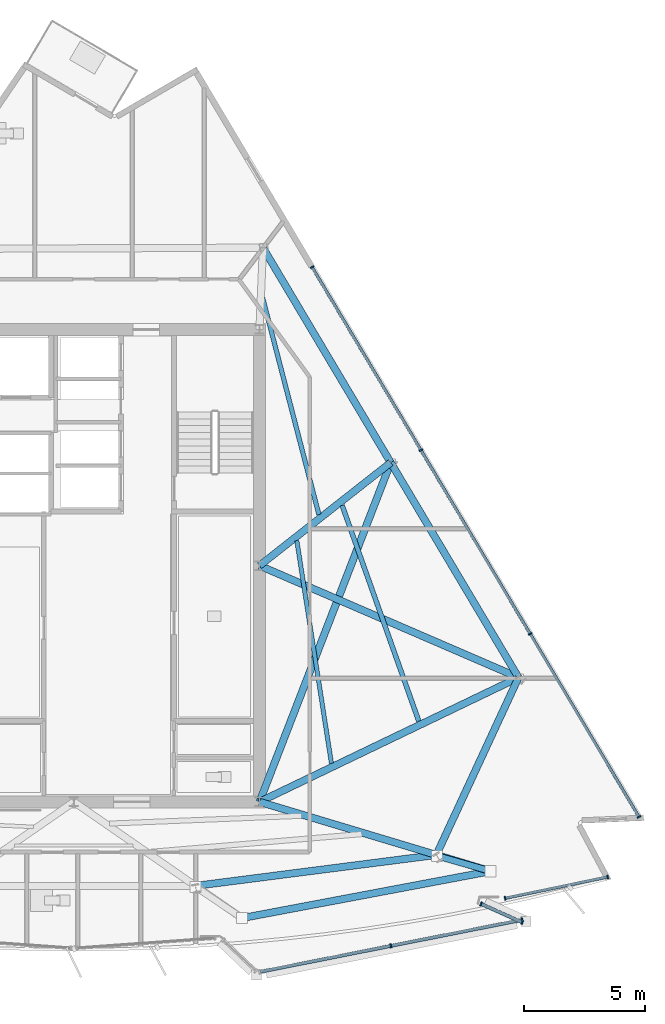
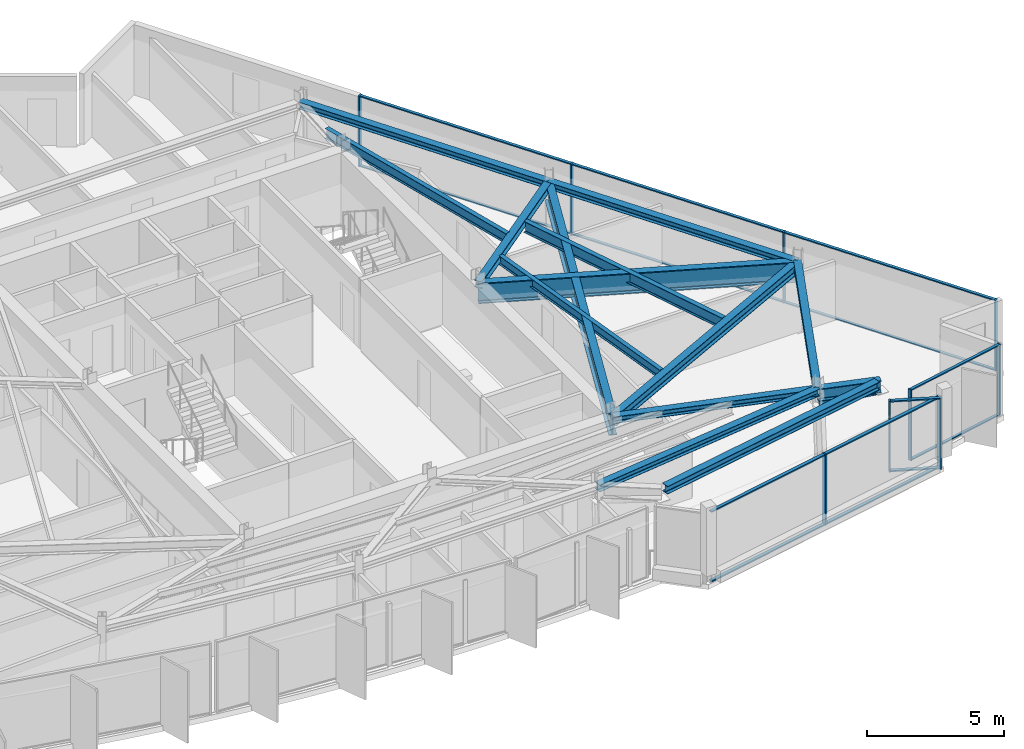
# One storey, part 5 of 13: 25 members, 14 beams, 4 elements without a shape of their own.
"""IFC4 building model written with IfcOpenShell, lengths in metres."""

from ifc_helpers import new_model, si_unit, direction, frame, origin, origin_2d, place, context, subcontext, project, spatial, rectangle, hollow_circle, i_section, extrude, material, material_profile, profile_set, type_object, element, aggregate, save


model = new_model("IFC4")

# Units and contexts
model_context = context("Model", 3, precision=1e-05, world=origin(), true_north=direction((0.0, 1.0)))
body_context = subcontext(model_context, "Body", "Model", "MODEL_VIEW")
ifc_project = project(units=[si_unit("LENGTHUNIT", "METRE"), si_unit("AREAUNIT", "SQUARE_METRE"), si_unit("VOLUMEUNIT", "CUBIC_METRE"), si_unit("PLANEANGLEUNIT", "RADIAN"), si_unit("MASSUNIT", "GRAM", prefix="KILO")], contexts=[model_context])

# Site, building, storey
site_placement = place(None, origin())
site = spatial("IfcSite", under=ifc_project, at=site_placement, CompositionType="ELEMENT")
building_placement = place(site_placement, origin())
building = spatial("IfcBuilding", under=site, at=building_placement, Name="Savorim Split Tower", CompositionType="ELEMENT")
storey_placement = place(building_placement, frame((0.0, 0.0, 290.39990234375)))
storey = spatial("IfcBuildingStorey", under=building, at=storey_placement, Name="L77", CompositionType="ELEMENT", Elevation=290.39990234375)

# Beams
ifc_material_1 = material(Name="Steel S355", Category="steel")
ifc_material_profile_1 = material_profile(ifc_material_1, i_section(OverallWidth=0.179931640625, OverallDepth=0.39990234375, WebThickness=0.008544921875, FlangeThickness=0.013427734375, FilletRadius=0.02099609375, at=origin_2d()), Name="IPE 400")
ifc_profile_set_1 = profile_set([ifc_material_profile_1], Name="Steel S355")
beam_type_1 = type_object("IfcBeamType", Name="BM-JST-IPE400", PredefinedType="JOIST", material=ifc_profile_set_1)
beam_1_placement = place(storey_placement, frame((10.68408203125, -7.797119140625, 2.9501953125), z_axis=(-0.153529055259, 0.988144133814, 0.0), x_axis=(-0.988144133814, -0.153529055259, 0.0)))
element("IfcBeam", 1, at=beam_1_placement, inside=storey, type_object=beam_type_1, Name="L77 Secondary Floor Joist JS-08", PredefinedType="JOIST", context=body_context, shape_type="SweptSolid", body=[
    extrude(i_section(OverallWidth=0.179931640625, OverallDepth=0.39990234375, WebThickness=0.008544921875, FlangeThickness=0.013427734375, FilletRadius=0.02099609375, at=origin_2d()), origin(), (0.0, 0.0, 1.0), 9.34716796875),
])
ifc_material_profile_2 = material_profile(ifc_material_1, i_section(OverallWidth=0.18994140625, OverallDepth=0.449951171875, WebThickness=0.009521484375, FlangeThickness=0.0146484375, FilletRadius=0.02099609375, at=origin_2d()), Name="IPE 450")
ifc_profile_set_2 = profile_set([ifc_material_profile_2], Name="Steel S355")
beam_type_2 = type_object("IfcBeamType", Name="BM-JST-IPE450", PredefinedType="JOIST", material=ifc_profile_set_2)
beam_2_placement = place(storey_placement, frame((10.164306640625, 2.521728515625, 2.925048828125), z_axis=(-0.251309740462, 0.967906717793, 0.0), x_axis=(-0.967906717793, -0.251309740462, 0.0)))
element("IfcBeam", 2, at=beam_2_placement, inside=storey, type_object=beam_type_2, Name="L77 Secondary Floor Joist JS-07", PredefinedType="JOIST", context=body_context, shape_type="SweptSolid", body=[
    extrude(i_section(OverallWidth=0.18994140625, OverallDepth=0.449951171875, WebThickness=0.009521484375, FlangeThickness=0.0146484375, FilletRadius=0.02099609375, at=origin_2d()), origin(), (0.0, 0.0, 1.0), 9.384521484375),
])
ifc_material_profile_3 = material_profile(ifc_material_1, i_section(OverallWidth=0.199951171875, OverallDepth=0.5, WebThickness=0.01025390625, FlangeThickness=0.01611328125, FilletRadius=0.02099609375, at=origin_2d()), Name="IPE 500")
ifc_profile_set_3 = profile_set([ifc_material_profile_3], Name="Steel S355")
beam_type_3 = type_object("IfcBeamType", Name="BM-JST-IPE500", PredefinedType="JOIST", material=ifc_profile_set_3)
beam_3_placement = place(storey_placement, frame((14.30859375, -6.0498046875, 2.900146484375), z_axis=(-0.334751538118, 0.942306429845, 0.0), x_axis=(-0.942306429845, -0.334751538118, 0.0)))
element("IfcBeam", 3, at=beam_3_placement, inside=storey, type_object=beam_type_3, Name="L77 Secondary Floor Joist JS-06", PredefinedType="JOIST", context=body_context, shape_type="SweptSolid", body=[
    extrude(i_section(OverallWidth=0.199951171875, OverallDepth=0.5, WebThickness=0.01025390625, FlangeThickness=0.01611328125, FilletRadius=0.02099609375, at=origin_2d()), origin(), (0.0, 0.0, 1.0), 9.497802734375),
])
ifc_material_profile_4 = material_profile(ifc_material_1, i_section(OverallWidth=0.300048828125, OverallDepth=0.300048828125, WebThickness=0.010986328125, FlangeThickness=0.01904296875, FilletRadius=0.027099609375, at=origin_2d()), Name="HEB 300")
ifc_profile_set_4 = profile_set([ifc_material_profile_4], Name="Steel S355")
beam_type_4 = type_object("IfcBeamType", Name="BM-PRI-HEB300", PredefinedType="BEAM", material=ifc_profile_set_4)
beam_4_placement = place(storey_placement, frame((15.037109375, -11.6015625, 3.0), z_axis=(-0.957807862617, 0.287409287096, 0.0), x_axis=(-0.287409287096, -0.957807862617, 0.0)))
element("IfcBeam", 4, at=beam_4_placement, inside=storey, type_object=beam_type_4, Name="L77 Primary Floor Girder RG-04", PredefinedType="BEAM", context=body_context, shape_type="SweptSolid", body=[
    extrude(i_section(OverallWidth=0.300048828125, OverallDepth=0.300048828125, WebThickness=0.010986328125, FlangeThickness=0.01904296875, FilletRadius=0.027099609375, at=origin_2d()), origin(), (0.0, 0.0, 1.0), 7.660400390625),
])
beam_5_placement = place(storey_placement, frame((13.144287109375, 4.675537109375, 3.0), z_axis=(-0.786462724498, -0.617637744131, 0.0), x_axis=(0.617637744131, -0.786462724498, 0.0)))
element("IfcBeam", 5, at=beam_5_placement, inside=storey, type_object=beam_type_4, Name="L77 Primary Floor Girder RG-06", PredefinedType="BEAM", context=body_context, shape_type="SweptSolid", body=[
    extrude(i_section(OverallWidth=0.300048828125, OverallDepth=0.300048828125, WebThickness=0.010986328125, FlangeThickness=0.01904296875, FilletRadius=0.027099609375, at=origin_2d()), origin(), (0.0, 0.0, 1.0), 6.922607421875),
])
ifc_material_profile_5 = material_profile(ifc_material_1, i_section(OverallWidth=0.300048828125, OverallDepth=0.449951171875, WebThickness=0.013916015625, FlangeThickness=0.02587890625, FilletRadius=0.027099609375, at=origin_2d()), Name="HEB 450")
ifc_profile_set_5 = profile_set([ifc_material_profile_5], Name="Steel S355")
beam_type_5 = type_object("IfcBeamType", Name="BM-PRI-HEB450", PredefinedType="BEAM", material=ifc_profile_set_5)
beam_6_placement = place(storey_placement, frame((18.44580078125, -4.239990234375, 2.925048828125), z_axis=(-0.901460726945, -0.432860898875, 0.0), x_axis=(0.432860898875, -0.901460726945, 0.0)))
element("IfcBeam", 6, at=beam_6_placement, inside=storey, type_object=beam_type_5, Name="L77 Primary Floor Girder RG-05", PredefinedType="BEAM", context=body_context, shape_type="SweptSolid", body=[
    extrude(i_section(OverallWidth=0.300048828125, OverallDepth=0.449951171875, WebThickness=0.013916015625, FlangeThickness=0.02587890625, FilletRadius=0.027099609375, at=origin_2d()), origin(), (0.0, 0.0, 1.0), 11.92041015625),
])
ifc_material_profile_6 = material_profile(ifc_material_1, i_section(OverallWidth=0.300048828125, OverallDepth=0.550048828125, WebThickness=0.014892578125, FlangeThickness=0.029052734375, FilletRadius=0.027099609375, at=origin_2d()), Name="HEB 550")
ifc_profile_set_6 = profile_set([ifc_material_profile_6], Name="Steel S355")
beam_type_6 = type_object("IfcBeamType", Name="BM-PRI-HEB550", PredefinedType="BEAM", material=ifc_profile_set_6)
beam_7_placement = place(storey_placement, frame((15.037109375, -11.6015625, 2.875), z_axis=(0.957826285221, -0.287347885566, 0.0), x_axis=(0.287347885566, 0.957826285221, 0.0)))
element("IfcBeam", 7, at=beam_7_placement, inside=storey, type_object=beam_type_6, Name="L77 Cantilevered Lounge Rib 2", PredefinedType="BEAM", context=body_context, shape_type="SweptSolid", body=[
    extrude(i_section(OverallWidth=0.300048828125, OverallDepth=0.550048828125, WebThickness=0.014892578125, FlangeThickness=0.029052734375, FilletRadius=0.027099609375, at=origin_2d()), origin(), (0.0, 0.0, 1.0), 2.35009765625),
])
ifc_material_profile_7 = material_profile(ifc_material_1, i_section(OverallWidth=0.300048828125, OverallDepth=0.31005859375, WebThickness=0.009033203125, FlangeThickness=0.015380859375, FilletRadius=0.027099609375, at=origin_2d()), Name="HEA 320")
ifc_profile_set_7 = profile_set([ifc_material_profile_7], Name="Steel S355")
beam_type_7 = type_object("IfcBeamType", Name="BM-SPN-HEA320", PredefinedType="SPANDREL", material=ifc_profile_set_7)
beam_8_placement = place(storey_placement, frame((5.039794921875, -12.885009765625, 2.9951171875), z_axis=(0.991859872424, 0.127334180306, 0.0), x_axis=(-0.127334180306, 0.991859872424, 0.0)))
element("IfcBeam", 8, at=beam_8_placement, inside=storey, type_object=beam_type_7, Name="L77 Perimeter Spandrel Beam 3", PredefinedType="SPANDREL", context=body_context, shape_type="SweptSolid", body=[
    extrude(i_section(OverallWidth=0.300048828125, OverallDepth=0.31005859375, WebThickness=0.009033203125, FlangeThickness=0.015380859375, FilletRadius=0.027099609375, at=origin_2d()), origin(), (0.0, 0.0, 1.0), 10.079345703125),
])
beam_9_placement = place(storey_placement, frame((15.037109375, -11.6015625, 2.9951171875), z_axis=(0.420180016877, 0.9074407713, 0.0), x_axis=(-0.9074407713, 0.420180016877, 0.0)))
element("IfcBeam", 9, at=beam_9_placement, inside=storey, type_object=beam_type_7, Name="L77 Perimeter Spandrel Beam 4", PredefinedType="SPANDREL", context=body_context, shape_type="SweptSolid", body=[
    extrude(i_section(OverallWidth=0.300048828125, OverallDepth=0.31005859375, WebThickness=0.009033203125, FlangeThickness=0.015380859375, FilletRadius=0.027099609375, at=origin_2d()), origin(), (0.0, 0.0, 1.0), 8.112548828125),
])
beam_10_placement = place(storey_placement, frame((18.44580078125, -4.239990234375, 2.9951171875), z_axis=(-0.511103121152, 0.859519400333, 0.0), x_axis=(-0.859519400333, -0.511103121152, 0.0)))
element("IfcBeam", 10, at=beam_10_placement, inside=storey, type_object=beam_type_7, Name="L77 Perimeter Spandrel Beam 5", PredefinedType="SPANDREL", context=body_context, shape_type="SweptSolid", body=[
    extrude(i_section(OverallWidth=0.300048828125, OverallDepth=0.31005859375, WebThickness=0.009033203125, FlangeThickness=0.015380859375, FilletRadius=0.027099609375, at=origin_2d()), origin(), (0.0, 0.0, 1.0), 10.372802734375),
])
beam_11_placement = place(storey_placement, frame((13.144287109375, 4.675537109375, 2.9951171875), z_axis=(-0.51108573242, 0.8595297401, 0.0), x_axis=(-0.8595297401, -0.51108573242, 0.0)))
element("IfcBeam", 11, at=beam_11_placement, inside=storey, type_object=beam_type_7, Name="L77 Perimeter Spandrel Beam 6", PredefinedType="SPANDREL", context=body_context, shape_type="SweptSolid", body=[
    extrude(i_section(OverallWidth=0.300048828125, OverallDepth=0.31005859375, WebThickness=0.009033203125, FlangeThickness=0.015380859375, FilletRadius=0.027099609375, at=origin_2d()), origin(), (0.0, 0.0, 1.0), 10.37255859375),
])
ifc_material_profile_8 = material_profile(ifc_material_1, i_section(OverallWidth=0.300048828125, OverallDepth=0.35009765625, WebThickness=0.010009765625, FlangeThickness=0.017578125, FilletRadius=0.027099609375, at=origin_2d()), Name="HEA 360")
ifc_profile_set_8 = profile_set([ifc_material_profile_8], Name="Steel S355")
beam_type_8 = type_object("IfcBeamType", Name="BM-SPN-HEA360", PredefinedType="SPANDREL", material=ifc_profile_set_8)
beam_12_placement = place(storey_placement, frame((7.1298828125, -14.192138671875, 2.97509765625), z_axis=(0.982683747287, 0.185290725126, 0.0), x_axis=(-0.185290725126, 0.982683747287, 0.0)))
element("IfcBeam", 12, at=beam_12_placement, inside=storey, type_object=beam_type_8, Name="L77 Cantilevered Lounge Front Edge Beam", PredefinedType="SPANDREL", context=body_context, shape_type="SweptSolid", body=[
    extrude(i_section(OverallWidth=0.300048828125, OverallDepth=0.35009765625, WebThickness=0.010009765625, FlangeThickness=0.017578125, FilletRadius=0.027099609375, at=origin_2d()), origin(), (0.0, 0.0, 1.0), 10.17724609375),
])
ifc_material_2 = material(Name="Steel S460", Category="steel")
ifc_material_profile_9 = material_profile(ifc_material_2, i_section(OverallWidth=0.302001953125, OverallDepth=0.909912109375, WebThickness=0.02099609375, FlangeThickness=0.0400390625, FilletRadius=0.030029296875, at=origin_2d()), Name="HE 900 M")
ifc_profile_set_9 = profile_set([ifc_material_profile_9], Name="Steel S460")
beam_type_9 = type_object("IfcBeamType", Name="BM-TRF-HEM900", PredefinedType="BEAM", material=ifc_profile_set_9)
beam_13_placement = place(storey_placement, frame((7.699951171875, -9.39990234375, 2.695068359375), z_axis=(0.360750832527, 0.932662230838, 0.0), x_axis=(-0.932662230838, 0.360750832527, 0.0)))
element("IfcBeam", 13, at=beam_13_placement, inside=storey, type_object=beam_type_9, Name="L77 East Crown Transfer Girder 1", PredefinedType="BEAM", context=body_context, shape_type="SweptSolid", body=[
    extrude(i_section(OverallWidth=0.302001953125, OverallDepth=0.909912109375, WebThickness=0.02099609375, FlangeThickness=0.0400390625, FilletRadius=0.030029296875, at=origin_2d()), origin(), (0.0, 0.0, 1.0), 15.091796875),
])
beam_14_placement = place(storey_placement, frame((7.699951171875, 0.39990234375, 2.695068359375), z_axis=(0.918073567742, -0.396410045551, 0.0), x_axis=(0.396410045551, 0.918073567742, 0.0)))
element("IfcBeam", 14, at=beam_14_placement, inside=storey, type_object=beam_type_9, Name="L77 East Crown Transfer Girder 2", PredefinedType="BEAM", context=body_context, shape_type="SweptSolid", body=[
    extrude(i_section(OverallWidth=0.302001953125, OverallDepth=0.909912109375, WebThickness=0.02099609375, FlangeThickness=0.0400390625, FilletRadius=0.030029296875, at=origin_2d()), origin(), (0.0, 0.0, 1.0), 11.704833984375),
])

# Curtain wall, members
ifc_material_3 = material(Name="Dark Ceramic-Fritted Insulated Glass", Category="glass")
curtain_wall_type_1 = type_object("IfcCurtainWallType", Name="CW-TWR-FRIT-B", PredefinedType="NOTDEFINED", material=ifc_material_3)
curtain_wall_1_placement = place(storey_placement, origin())
curtain_wall_1 = element("IfcCurtainWall", 15, at=curtain_wall_1_placement, inside=storey, type_object=curtain_wall_type_1, Name="L77 Curtain Wall CW-L77-SF4A", PredefinedType="NOTDEFINED")
ifc_material_4 = material(Name="Charcoal Anodised Aluminium", Category="aluminium")
ifc_material_profile_10 = material_profile(ifc_material_4, rectangle(XDim=0.159912109375, YDim=0.06005859375, at=origin_2d()), Name="ALU-M 160x60")
ifc_profile_set_10 = profile_set([ifc_material_profile_10], Name="Charcoal Anodised Aluminium")
member_type_1 = type_object("IfcMemberType", Name="CWM-160x60", PredefinedType="MULLION", material=ifc_profile_set_10)
member_1_placement = place(storey_placement, frame((17.891845703125, -13.397216796875, 0.0), z_axis=(0.0, 0.0, 1.0), x_axis=(-0.203220155852, 0.979133069739, 0.0)))
member_1 = element("IfcMember", 16, at=member_1_placement, type_object=member_type_1, Name="CW-03 mullion 1", PredefinedType="MULLION", context=body_context, shape_type="SweptSolid", body=[
    extrude(rectangle(XDim=0.159912109375, YDim=0.06005859375, at=origin_2d()), origin(), (0.0, 0.0, 1.0), 3.150146484375),
])
member_2_placement = place(storey_placement, frame((22.142333984375, -12.514892578125, 0.0), z_axis=(0.0, 0.0, 1.0), x_axis=(-0.203220155852, 0.979133069739, 0.0)))
member_2 = element("IfcMember", 17, at=member_2_placement, type_object=member_type_1, Name="CW-03 mullion 2", PredefinedType="MULLION", context=body_context, shape_type="SweptSolid", body=[
    extrude(rectangle(XDim=0.159912109375, YDim=0.06005859375, at=origin_2d()), origin(), (0.0, 0.0, 1.0), 3.150146484375),
])

curtain_wall_2_placement = place(storey_placement, origin())
curtain_wall_2 = element("IfcCurtainWall", 18, at=curtain_wall_2_placement, inside=storey, type_object=curtain_wall_type_1, Name="L77 Curtain Wall CW-L77-EAST", PredefinedType="NOTDEFINED")
member_3_placement = place(storey_placement, frame((23.44482421875, -10.0234375, 0.0), z_axis=(0.0, 0.0, 1.0), x_axis=(-0.859526200766, -0.511091684727, 0.0)))
member_3 = element("IfcMember", 19, at=member_3_placement, type_object=member_type_1, Name="CW-03 mullion 1", PredefinedType="MULLION", context=body_context, shape_type="SweptSolid", body=[
    extrude(rectangle(XDim=0.159912109375, YDim=0.06005859375, at=origin_2d()), origin(), (0.0, 0.0, 1.0), 3.150146484375),
])
member_4_placement = place(storey_placement, frame((18.92919921875, -2.42919921875, 0.0), z_axis=(0.0, 0.0, 1.0), x_axis=(-0.859526200766, -0.511091684727, 0.0)))
member_4 = element("IfcMember", 20, at=member_4_placement, type_object=member_type_1, Name="CW-03 mullion 2", PredefinedType="MULLION", context=body_context, shape_type="SweptSolid", body=[
    extrude(rectangle(XDim=0.159912109375, YDim=0.06005859375, at=origin_2d()), origin(), (0.0, 0.0, 1.0), 3.150146484375),
])
member_5_placement = place(storey_placement, frame((14.398193359375, 5.190673828125, 0.0), z_axis=(0.0, 0.0, 1.0), x_axis=(-0.859526200766, -0.511091684727, 0.0)))
member_5 = element("IfcMember", 21, at=member_5_placement, type_object=member_type_1, Name="CW-03 mullion 3", PredefinedType="MULLION", context=body_context, shape_type="SweptSolid", body=[
    extrude(rectangle(XDim=0.159912109375, YDim=0.06005859375, at=origin_2d()), origin(), (0.0, 0.0, 1.0), 3.150146484375),
])
member_6_placement = place(storey_placement, frame((9.882568359375, 12.784912109375, 0.0), z_axis=(0.0, 0.0, 1.0), x_axis=(-0.859526200766, -0.511091684727, 0.0)))
member_6 = element("IfcMember", 22, at=member_6_placement, type_object=member_type_1, Name="CW-03 mullion 4", PredefinedType="MULLION", context=body_context, shape_type="SweptSolid", body=[
    extrude(rectangle(XDim=0.159912109375, YDim=0.06005859375, at=origin_2d()), origin(), (0.0, 0.0, 1.0), 3.150146484375),
])

curtain_wall_type_2 = type_object("IfcCurtainWallType", Name="CW-BAY-LOUNGE", PredefinedType="NOTDEFINED", material=ifc_material_3)
curtain_wall_3_placement = place(storey_placement, origin())
curtain_wall_3 = element("IfcCurtainWall", 23, at=curtain_wall_3_placement, inside=storey, type_object=curtain_wall_type_2, Name="L77 Curtain Wall CW-L77-BAYF", PredefinedType="NOTDEFINED")
ifc_material_profile_11 = material_profile(ifc_material_4, rectangle(XDim=0.179931640625, YDim=0.06494140625, at=origin_2d()), Name="ALU-M 180x65")
ifc_profile_set_11 = profile_set([ifc_material_profile_11], Name="Charcoal Anodised Aluminium")
member_type_2 = type_object("IfcMemberType", Name="CWM-180x65", PredefinedType="MULLION", material=ifc_profile_set_11)
member_7_placement = place(storey_placement, frame((13.15185546875, -15.37255859375, 0.0), z_axis=(0.0, 0.0, 1.0), x_axis=(-0.194484421737, 0.980905606927, 0.0)))
member_7 = element("IfcMember", 24, at=member_7_placement, type_object=member_type_2, Name="CW-04 mullion 2", PredefinedType="MULLION", context=body_context, shape_type="SweptSolid", body=[
    extrude(rectangle(XDim=0.179931640625, YDim=0.06494140625, at=origin_2d()), origin(), (0.0, 0.0, 1.0), 3.150146484375),
])
member_8_placement = place(storey_placement, frame((18.5947265625, -14.29345703125, 0.0), z_axis=(0.0, 0.0, 1.0), x_axis=(-0.194484421737, 0.980905606927, 0.0)))
member_8 = element("IfcMember", 25, at=member_8_placement, type_object=member_type_2, Name="CW-04 mullion 3", PredefinedType="MULLION", context=body_context, shape_type="SweptSolid", body=[
    extrude(rectangle(XDim=0.179931640625, YDim=0.06494140625, at=origin_2d()), origin(), (0.0, 0.0, 1.0), 3.150146484375),
])

curtain_wall_4_placement = place(storey_placement, origin())
curtain_wall_4 = element("IfcCurtainWall", 26, at=curtain_wall_4_placement, inside=storey, type_object=curtain_wall_type_2, Name="L77 Curtain Wall CW-L77-BAYE", PredefinedType="NOTDEFINED")
member_9_placement = place(storey_placement, frame((18.60205078125, -14.39892578125, 0.0), z_axis=(0.0, 0.0, 1.0), x_axis=(-0.409230543501, -0.912431017812, 0.0)))
member_9 = element("IfcMember", 27, at=member_9_placement, type_object=member_type_2, Name="CW-04 mullion 1", PredefinedType="MULLION", context=body_context, shape_type="SweptSolid", body=[
    extrude(rectangle(XDim=0.179931640625, YDim=0.06494140625, at=origin_2d()), origin(), (0.0, 0.0, 1.0), 3.150146484375),
])
member_10_placement = place(storey_placement, frame((16.89111328125, -13.631591796875, 0.0), z_axis=(0.0, 0.0, 1.0), x_axis=(-0.409230543501, -0.912431017812, 0.0)))
member_10 = element("IfcMember", 28, at=member_10_placement, type_object=member_type_2, Name="CW-04 mullion 2", PredefinedType="MULLION", context=body_context, shape_type="SweptSolid", body=[
    extrude(rectangle(XDim=0.179931640625, YDim=0.06494140625, at=origin_2d()), origin(), (0.0, 0.0, 1.0), 3.150146484375),
])

# Member
ifc_material_profile_12 = material_profile(ifc_material_4, rectangle(XDim=0.1201171875, YDim=0.050048828125, at=origin_2d()), Name="ALU-T 120x50")
ifc_profile_set_12 = profile_set([ifc_material_profile_12], Name="Charcoal Anodised Aluminium")
member_type_3 = type_object("IfcMemberType", Name="CWT-120x50", PredefinedType="USERDEFINED", material=ifc_profile_set_12)
member_11_placement = place(storey_placement, frame((17.921142578125, -13.39111328125, 0.025146484375), z_axis=(0.979129127242, 0.203239150232, 0.0), x_axis=(-0.203239150232, 0.979129127242, 0.0)))
member_11 = element("IfcMember", 29, at=member_11_placement, type_object=member_type_3, Name="CW-03 transom 1.1", ObjectType="TRANSOM", PredefinedType="USERDEFINED", context=body_context, shape_type="SweptSolid", body=[
    extrude(rectangle(XDim=0.1201171875, YDim=0.050048828125, at=origin_2d()), origin(), (0.0, 0.0, 1.0), 4.28125),
])

member_12_placement = place(storey_placement, frame((17.921142578125, -13.39111328125, 3.125), z_axis=(0.979129127242, 0.203239150232, 0.0), x_axis=(-0.203239150232, 0.979129127242, 0.0)))
member_12 = element("IfcMember", 30, at=member_12_placement, type_object=member_type_3, Name="CW-03 transom 1.2", ObjectType="TRANSOM", PredefinedType="USERDEFINED", context=body_context, shape_type="SweptSolid", body=[
    extrude(rectangle(XDim=0.1201171875, YDim=0.050048828125, at=origin_2d()), origin(), (0.0, 0.0, 1.0), 4.28125),
])

aggregate(curtain_wall_1, [member_1, member_2, member_11, member_12])

member_13_placement = place(storey_placement, frame((23.429443359375, -9.99755859375, 0.025146484375), z_axis=(-0.511087614626, 0.859528620917, 0.0), x_axis=(-0.859528620917, -0.511087614626, 0.0)))
member_13 = element("IfcMember", 31, at=member_13_placement, type_object=member_type_3, Name="CW-03 transom 1.1", ObjectType="TRANSOM", PredefinedType="USERDEFINED", context=body_context, shape_type="SweptSolid", body=[
    extrude(rectangle(XDim=0.1201171875, YDim=0.050048828125, at=origin_2d()), origin(), (0.0, 0.0, 1.0), 8.775146484375),
])

member_14_placement = place(storey_placement, frame((23.429443359375, -9.99755859375, 3.125), z_axis=(-0.511087614626, 0.859528620917, 0.0), x_axis=(-0.859528620917, -0.511087614626, 0.0)))
member_14 = element("IfcMember", 32, at=member_14_placement, type_object=member_type_3, Name="CW-03 transom 1.2", ObjectType="TRANSOM", PredefinedType="USERDEFINED", context=body_context, shape_type="SweptSolid", body=[
    extrude(rectangle(XDim=0.1201171875, YDim=0.050048828125, at=origin_2d()), origin(), (0.0, 0.0, 1.0), 8.775146484375),
])

member_15_placement = place(storey_placement, frame((18.913818359375, -2.403564453125, 0.025146484375), z_axis=(-0.511087019208, 0.859528974961, 0.0), x_axis=(-0.859528974961, -0.511087019208, 0.0)))
member_15 = element("IfcMember", 33, at=member_15_placement, type_object=member_type_3, Name="CW-03 transom 2.1", ObjectType="TRANSOM", PredefinedType="USERDEFINED", context=body_context, shape_type="SweptSolid", body=[
    extrude(rectangle(XDim=0.1201171875, YDim=0.050048828125, at=origin_2d()), origin(), (0.0, 0.0, 1.0), 8.80517578125),
])

member_16_placement = place(storey_placement, frame((18.913818359375, -2.403564453125, 3.125), z_axis=(-0.511087019208, 0.859528974961, 0.0), x_axis=(-0.859528974961, -0.511087019208, 0.0)))
member_16 = element("IfcMember", 34, at=member_16_placement, type_object=member_type_3, Name="CW-03 transom 2.2", ObjectType="TRANSOM", PredefinedType="USERDEFINED", context=body_context, shape_type="SweptSolid", body=[
    extrude(rectangle(XDim=0.1201171875, YDim=0.050048828125, at=origin_2d()), origin(), (0.0, 0.0, 1.0), 8.80517578125),
])

member_17_placement = place(storey_placement, frame((14.3828125, 5.216552734375, 0.025146484375), z_axis=(-0.511087614626, 0.859528620917, 0.0), x_axis=(-0.859528620917, -0.511087614626, 0.0)))
member_17 = element("IfcMember", 35, at=member_17_placement, type_object=member_type_3, Name="CW-03 transom 3.1", ObjectType="TRANSOM", PredefinedType="USERDEFINED", context=body_context, shape_type="SweptSolid", body=[
    extrude(rectangle(XDim=0.1201171875, YDim=0.050048828125, at=origin_2d()), origin(), (0.0, 0.0, 1.0), 8.775146484375),
])

member_18_placement = place(storey_placement, frame((14.3828125, 5.216552734375, 3.125), z_axis=(-0.511087614626, 0.859528620917, 0.0), x_axis=(-0.859528620917, -0.511087614626, 0.0)))
member_18 = element("IfcMember", 36, at=member_18_placement, type_object=member_type_3, Name="CW-03 transom 3.2", ObjectType="TRANSOM", PredefinedType="USERDEFINED", context=body_context, shape_type="SweptSolid", body=[
    extrude(rectangle(XDim=0.1201171875, YDim=0.050048828125, at=origin_2d()), origin(), (0.0, 0.0, 1.0), 8.775146484375),
])

aggregate(curtain_wall_2, [member_3, member_4, member_5, member_6, member_13, member_14, member_15, member_16, member_17, member_18])

ifc_material_profile_13 = material_profile(ifc_material_4, rectangle(XDim=0.139892578125, YDim=0.054931640625, at=origin_2d()), Name="ALU-T 140x55")
ifc_profile_set_13 = profile_set([ifc_material_profile_13], Name="Charcoal Anodised Aluminium")
member_type_4 = type_object("IfcMemberType", Name="CWT-140x55", PredefinedType="USERDEFINED", material=ifc_profile_set_13)
member_19_placement = place(storey_placement, frame((7.74072265625, -16.445556640625, 0.027587890625), z_axis=(0.980901265957, 0.194506314663, 0.0), x_axis=(-0.194506314663, 0.980901265957, 0.0)))
member_19 = element("IfcMember", 37, at=member_19_placement, type_object=member_type_4, Name="CW-04 transom 1.1", ObjectType="TRANSOM", PredefinedType="USERDEFINED", context=body_context, shape_type="SweptSolid", body=[
    extrude(rectangle(XDim=0.139892578125, YDim=0.054931640625, at=origin_2d()), origin(), (0.0, 0.0, 1.0), 5.48388671875),
])

member_20_placement = place(storey_placement, frame((7.74072265625, -16.445556640625, 3.12255859375), z_axis=(0.980901265957, 0.194506314663, 0.0), x_axis=(-0.194506314663, 0.980901265957, 0.0)))
member_20 = element("IfcMember", 38, at=member_20_placement, type_object=member_type_4, Name="CW-04 transom 1.2", ObjectType="TRANSOM", PredefinedType="USERDEFINED", context=body_context, shape_type="SweptSolid", body=[
    extrude(rectangle(XDim=0.139892578125, YDim=0.054931640625, at=origin_2d()), origin(), (0.0, 0.0, 1.0), 5.48388671875),
])

member_21_placement = place(storey_placement, frame((13.18359375, -15.3662109375, 0.027587890625), z_axis=(0.980909759064, 0.194463478763, 0.0), x_axis=(-0.194463478763, 0.980909759064, 0.0)))
member_21 = element("IfcMember", 39, at=member_21_placement, type_object=member_type_4, Name="CW-04 transom 2.1", ObjectType="TRANSOM", PredefinedType="USERDEFINED", context=body_context, shape_type="SweptSolid", body=[
    extrude(rectangle(XDim=0.139892578125, YDim=0.054931640625, at=origin_2d()), origin(), (0.0, 0.0, 1.0), 5.48388671875),
])

member_22_placement = place(storey_placement, frame((13.18359375, -15.3662109375, 3.12255859375), z_axis=(0.980909759064, 0.194463478763, 0.0), x_axis=(-0.194463478763, 0.980909759064, 0.0)))
member_22 = element("IfcMember", 40, at=member_22_placement, type_object=member_type_4, Name="CW-04 transom 2.2", ObjectType="TRANSOM", PredefinedType="USERDEFINED", context=body_context, shape_type="SweptSolid", body=[
    extrude(rectangle(XDim=0.139892578125, YDim=0.054931640625, at=origin_2d()), origin(), (0.0, 0.0, 1.0), 5.48388671875),
])

aggregate(curtain_wall_3, [member_7, member_8, member_19, member_20, member_21, member_22])

member_23_placement = place(storey_placement, frame((18.572265625, -14.385498046875, 0.027587890625), z_axis=(-0.912465910851, 0.409152736193, 0.0), x_axis=(-0.409152736193, -0.912465910851, 0.0)))
member_23 = element("IfcMember", 41, at=member_23_placement, type_object=member_type_4, Name="CW-04 transom 1.1", ObjectType="TRANSOM", PredefinedType="USERDEFINED", context=body_context, shape_type="SweptSolid", body=[
    extrude(rectangle(XDim=0.139892578125, YDim=0.054931640625, at=origin_2d()), origin(), (0.0, 0.0, 1.0), 1.809814453125),
])

member_24_placement = place(storey_placement, frame((18.572265625, -14.385498046875, 3.12255859375), z_axis=(-0.912465910851, 0.409152736193, 0.0), x_axis=(-0.409152736193, -0.912465910851, 0.0)))
member_24 = element("IfcMember", 42, at=member_24_placement, type_object=member_type_4, Name="CW-04 transom 1.2", ObjectType="TRANSOM", PredefinedType="USERDEFINED", context=body_context, shape_type="SweptSolid", body=[
    extrude(rectangle(XDim=0.139892578125, YDim=0.054931640625, at=origin_2d()), origin(), (0.0, 0.0, 1.0), 1.809814453125),
])

aggregate(curtain_wall_4, [member_9, member_10, member_23, member_24])

ifc_material_profile_14 = material_profile(ifc_material_1, hollow_circle(Radius=0.136474609375, WallThickness=0.01611328125, at=origin_2d()), Name="CHS 273x16")
ifc_profile_set_14 = profile_set([ifc_material_profile_14], Name="Steel S355")
member_type_5 = type_object("IfcMemberType", Name="MBR-CRN-CHS273", PredefinedType="BRACE", material=ifc_profile_set_14)
member_25_placement = place(storey_placement, frame((15.060791015625, -11.639892578125, 2.4501953125), z_axis=(0.958880264831, -0.274221046908, 0.073153640724), x_axis=(0.274957745856, 0.961456311017, 0.0)))
element("IfcMember", 43, at=member_25_placement, inside=storey, type_object=member_type_5, Name="L77 Cantilevered Bay Support Strut 2", PredefinedType="BRACE", context=body_context, shape_type="SweptSolid", body=[
    extrude(hollow_circle(Radius=0.136474609375, WallThickness=0.01611328125, at=origin_2d()), origin(), (0.0, 0.0, 1.0), 2.32275390625),
])

save(model, "model.ifc")
